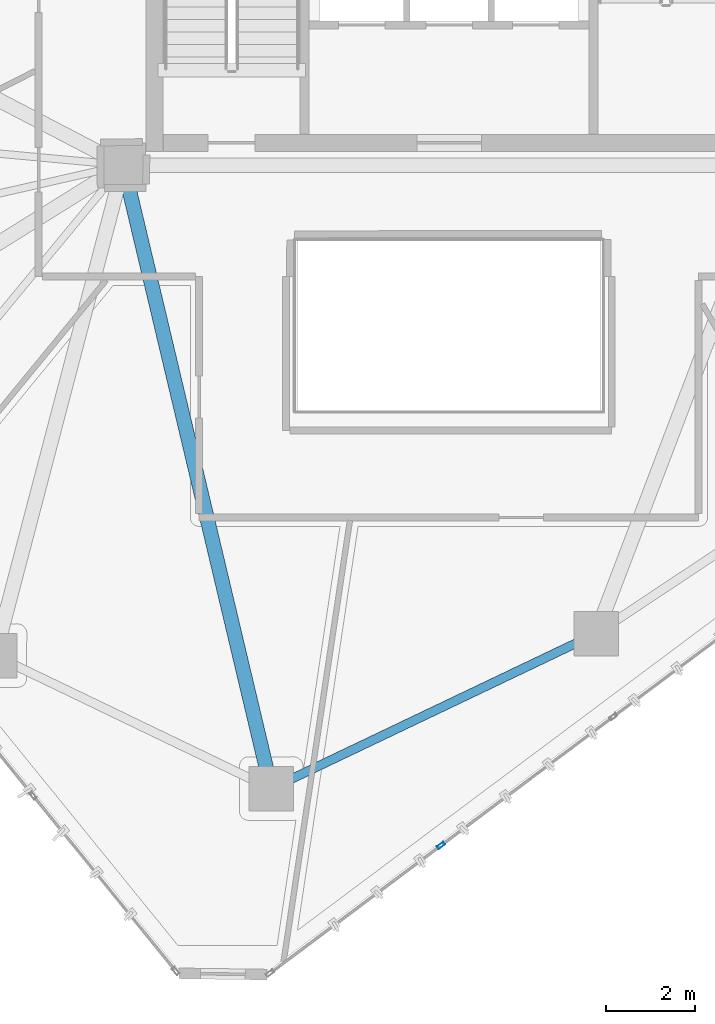
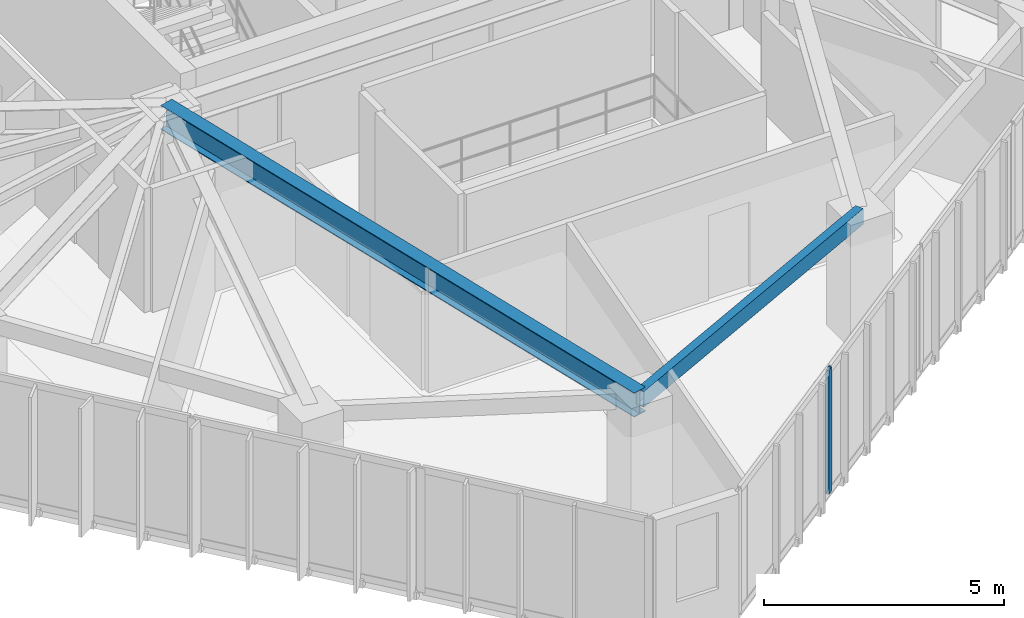
# One storey, part 4 of 20: 2 beams, 1 member, 1 element without a shape of its own.
"""IFC4 building model written with IfcOpenShell, lengths in metres."""

import ifcopenshell
import ifcopenshell.guid

model = None  # the IFC model being written
_history = None  # IfcOwnerHistory: only IFC2X3 demands one
_inside = {}  # id of a spatial element -> (the spatial element, [elements in it])
_under = {}  # id of a project, library or spatial element -> (it, [spatial elements below it])
_declared = {}  # id of a project -> (the project, [libraries it declares])
_typed = {}  # id of a type object -> (the type object, [elements of that type])
_made_of = {}  # id of a material, layer set ... -> (it, [elements and type objects made of it])


def new_model(schema):
    """Start an empty IFC model of exactly this schema.

    Asked for "IFC4X3", IfcOpenShell would pick the latest addendum, in which some entities
    have other attributes; the version numbers below select the first issue.
    IFC2X3 requires an IfcOwnerHistory on every rooted entity: one is made here for all.
    """
    global model, _history
    if schema == "IFC4X3":
        model = ifcopenshell.file(schema_version=(4, 3, 0, 0))
    else:
        model = ifcopenshell.file(schema=schema)
    _inside.clear()
    _under.clear()
    _declared.clear()
    _typed.clear()
    _made_of.clear()
    _history = None
    if model.schema == "IFC2X3":
        org = make("IfcOrganization", Name="unknown")
        user = make(
            "IfcPersonAndOrganization",
            ThePerson=make("IfcPerson", FamilyName="unknown"),
            TheOrganization=org,
        )
        app = make(
            "IfcApplication",
            ApplicationDeveloper=org,
            Version="unknown",
            ApplicationFullName="unknown",
            ApplicationIdentifier="unknown",
        )
        _history = make(
            "IfcOwnerHistory",
            OwningUser=user,
            OwningApplication=app,
            ChangeAction="ADDED",
            CreationDate=0,
        )
    return model


def make(cls, **values):
    """One entity of the class cls with the attributes given. An attribute that is None is left unset."""
    return model.create_entity(
        cls, **{name: value for name, value in values.items() if value is not None}
    )


def rooted(cls, **values):
    """An entity with a GlobalId (a new one), such as an element, a storey or a relation."""
    return make(cls, GlobalId=ifcopenshell.guid.new(), OwnerHistory=_history, **values)


def si_unit(unit_type, name, prefix=None):
    """IfcSIUnit, for example si_unit("LENGTHUNIT", "METRE", prefix="MILLI")."""
    return make("IfcSIUnit", UnitType=unit_type, Prefix=prefix, Name=name)


def assignment(units):
    """IfcUnitAssignment: the units of a project."""
    return None if units is None else make("IfcUnitAssignment", Units=units)


def point(xyz):
    """IfcCartesianPoint."""
    return None if xyz is None else make("IfcCartesianPoint", Coordinates=xyz)


def direction(xyz):
    """IfcDirection."""
    return None if xyz is None else make("IfcDirection", DirectionRatios=xyz)


def frame(location, z_axis=None, x_axis=None):
    """IfcAxis2Placement3D, a coordinate frame: its origin and axes. An axis left out is left unset."""
    return make(
        "IfcAxis2Placement3D",
        Location=point(location),
        Axis=direction(z_axis),
        RefDirection=direction(x_axis),
    )


def frame_2d(location, x_axis=None):
    """IfcAxis2Placement2D, a coordinate frame in the plane: its origin and x axis."""
    return make(
        "IfcAxis2Placement2D", Location=point(location), RefDirection=direction(x_axis)
    )


def origin():
    """The frame at (0, 0, 0) with its axes left unset."""
    return frame((0.0, 0.0, 0.0))


def origin_2d():
    """The frame at (0, 0) in the plane with its x axis left unset."""
    return frame_2d((0.0, 0.0))


def place(relative_to, where):
    """IfcLocalPlacement: puts the frame where relative to a parent placement (None: the world)."""
    return make(
        "IfcLocalPlacement", PlacementRelTo=relative_to, RelativePlacement=where
    )


def context(
    kind, dimensions, precision=None, world=None, true_north=None, identifier=None
):
    """IfcGeometricRepresentationContext, for example the 3D "Model" context."""
    return make(
        "IfcGeometricRepresentationContext",
        ContextIdentifier=identifier,
        ContextType=kind,
        CoordinateSpaceDimension=dimensions,
        Precision=precision,
        WorldCoordinateSystem=world,
        TrueNorth=true_north,
    )


def subcontext(parent, identifier, kind, view, scale=None):
    """IfcGeometricRepresentationSubContext, for example "Body" below "Model"."""
    return make(
        "IfcGeometricRepresentationSubContext",
        ContextIdentifier=identifier,
        ContextType=kind,
        ParentContext=parent,
        TargetScale=scale,
        TargetView=view,
    )


def project(units=None, contexts=None):
    """IfcProject with its units and contexts."""
    return rooted(
        "IfcProject",
        Name="project",
        RepresentationContexts=contexts,
        UnitsInContext=assignment(units),
    )


def spatial(cls, under=None, at=None, **own):
    """A site, building, storey or space (cls), placed at a placement, below another one or the project."""
    s = rooted(cls, ObjectPlacement=at, **own)
    if under is not None:
        _under.setdefault(under.id(), (under, []))[1].append(s)
    return s


def profile(cls, at=None, kind="AREA", **sizes):
    """A parametric profile (cls). Its sizes go by their IFC names, for example OverallWidth=200.0."""
    return make(cls, ProfileType=kind, Position=at, **sizes)


def hollow_rectangle(**sizes):
    """IfcRectangleHollowProfileDef."""
    return profile("IfcRectangleHollowProfileDef", **sizes)


def i_section(**sizes):
    """IfcIShapeProfileDef."""
    return profile("IfcIShapeProfileDef", **sizes)


def extrude(swept, where, along, depth):
    """IfcExtrudedAreaSolid: the profile swept, set in the frame where, extruded along a direction by depth."""
    return make(
        "IfcExtrudedAreaSolid",
        SweptArea=swept,
        Position=where,
        ExtrudedDirection=direction(along),
        Depth=depth,
    )


def shape(context_of_items, identifier, shape_type, items):
    """IfcShapeRepresentation: the items that make up one representation, for example the "Body"."""
    return make(
        "IfcShapeRepresentation",
        ContextOfItems=context_of_items,
        RepresentationIdentifier=identifier,
        RepresentationType=shape_type,
        Items=items,
    )


def source(mapping_origin, context_of_items, identifier, shape_type, items):
    """IfcRepresentationMap: a shape defined once, which mapped items show again and again."""
    return make(
        "IfcRepresentationMap",
        MappingOrigin=mapping_origin,
        MappedRepresentation=shape(context_of_items, identifier, shape_type, items),
    )


def transform(
    local_origin,
    x_axis=None,
    y_axis=None,
    z_axis=None,
    scale=None,
    scale2=None,
    scale3=None,
    uniform=True,
):
    """IfcCartesianTransformationOperator3D, or its non-uniform kind. x_axis, y_axis, z_axis: its Axis1, 2, 3."""
    if uniform:
        return make(
            "IfcCartesianTransformationOperator3D",
            Axis1=direction(x_axis),
            Axis2=direction(y_axis),
            LocalOrigin=point(local_origin),
            Scale=scale,
            Axis3=direction(z_axis),
        )
    return make(
        "IfcCartesianTransformationOperator3DnonUniform",
        Axis1=direction(x_axis),
        Axis2=direction(y_axis),
        LocalOrigin=point(local_origin),
        Scale=scale,
        Axis3=direction(z_axis),
        Scale2=scale2,
        Scale3=scale3,
    )


def mapped(mapping_source, mapping_target):
    """IfcMappedItem: shows the shape of a source again, moved by a transform."""
    return make(
        "IfcMappedItem", MappingSource=mapping_source, MappingTarget=mapping_target
    )


def material(Name=None, Category=None):
    """IfcMaterial."""
    return make("IfcMaterial", Name=Name, Category=Category)


def layer(
    of_material, thickness, ventilated=None, Name=None, Category=None, Priority=None
):
    """IfcMaterialLayer: one layer of a wall or slab, of a material (None: an air gap)."""
    return make(
        "IfcMaterialLayer",
        Material=of_material,
        LayerThickness=thickness,
        IsVentilated=ventilated,
        Name=Name,
        Category=Category,
        Priority=Priority,
    )


def layer_set(layers, Name=None):
    """IfcMaterialLayerSet."""
    return make("IfcMaterialLayerSet", MaterialLayers=layers, LayerSetName=Name)


def material_profile(
    of_material, cross_section, Name=None, Category=None, Priority=None
):
    """IfcMaterialProfile: a cross section and its material."""
    return make(
        "IfcMaterialProfile",
        Name=Name,
        Material=of_material,
        Profile=cross_section,
        Priority=Priority,
        Category=Category,
    )


def profile_set(profiles, Name=None, composite=None):
    """IfcMaterialProfileSet."""
    return make(
        "IfcMaterialProfileSet",
        Name=Name,
        MaterialProfiles=profiles,
        CompositeProfile=composite,
    )


def made_of(thing, what):
    """Note that an element or type object is made of a material, layer set ...; save() writes the relation."""
    if what is not None:
        _made_of.setdefault(what.id(), (what, []))[1].append(thing)
    return thing


def type_object(cls, material=None, **own):
    """A type object (cls), such as IfcWallType, which elements share."""
    return made_of(rooted(cls, **own), material)


def type_shapes(of_type, sources):
    """Give a type object the sources (RepresentationMaps) that its elements show as mapped items."""
    of_type.RepresentationMaps = sources


def element(
    cls,
    number,
    at=None,
    inside=None,
    cuts=None,
    type_object=None,
    material=None,
    context=None,
    identifier="Body",
    shape_type=None,
    held_by="IfcProductDefinitionShape",
    body=None,
    shapes=None,
    **own,
):
    """One element of the class cls, such as IfcWall. Its Tag is "e" and its number.

    at: its placement. inside: the storey or other place that contains it. cuts: it is an
    opening in that element (IfcRelVoidsElement). A single representation is given by context,
    identifier, shape_type and body (its items); several are given by shapes. held_by: the class
    of the entity that holds the representations. save() writes the other relations.
    """
    e = rooted(cls, Tag="e%d" % number, ObjectPlacement=at, **own)
    if body is not None:
        shapes = [shape(context, identifier, shape_type, body)]
    if shapes is not None:
        e.Representation = make(held_by, Representations=shapes)
    if inside is not None:
        _inside.setdefault(inside.id(), (inside, []))[1].append(e)
    if cuts is not None:
        rooted(
            "IfcRelVoidsElement", RelatingBuildingElement=cuts, RelatedOpeningElement=e
        )
    if type_object is not None:
        _typed.setdefault(type_object.id(), (type_object, []))[1].append(e)
    return made_of(e, material)


def aggregate(whole, parts):
    """IfcRelAggregates: a whole, such as a stair, and the parts it consists of."""
    return rooted("IfcRelAggregates", RelatingObject=whole, RelatedObjects=parts)


def save(model, path):
    """Write the relations noted so far, then the file.

    IfcRelAggregates (storeys below a building ...), IfcRelContainedInSpatialStructure (elements
    in a storey), IfcRelDefinesByType, IfcRelAssociatesMaterial and IfcRelDeclares: one each for
    every whole, place, type object, material and project.
    """
    for whole, parts in _under.values():
        aggregate(whole, parts)
    for where, things in _inside.values():
        rooted(
            "IfcRelContainedInSpatialStructure",
            RelatedElements=things,
            RelatingStructure=where,
        )
    for kind, things in _typed.values():
        rooted("IfcRelDefinesByType", RelatedObjects=things, RelatingType=kind)
    for what, things in _made_of.values():
        rooted("IfcRelAssociatesMaterial", RelatedObjects=things, RelatingMaterial=what)
    for by, libraries in _declared.values():
        rooted("IfcRelDeclares", RelatingContext=by, RelatedDefinitions=libraries)
    model.write(path)


model = new_model("IFC4")

# Units and contexts
model_context = context("Model", 3, precision=1e-05, world=origin(), true_north=direction((0.0, 1.0)))
body_context = subcontext(model_context, "Body", "Model", "MODEL_VIEW")
ifc_project = project(units=[si_unit("LENGTHUNIT", "METRE"), si_unit("AREAUNIT", "SQUARE_METRE"), si_unit("VOLUMEUNIT", "CUBIC_METRE"), si_unit("PLANEANGLEUNIT", "RADIAN"), si_unit("MASSUNIT", "GRAM", prefix="KILO")], contexts=[model_context])

# Site, building, storey
site_placement = place(None, origin())
site = spatial("IfcSite", under=ifc_project, at=site_placement, CompositionType="ELEMENT")
building_placement = place(site_placement, origin())
building = spatial("IfcBuilding", under=site, at=building_placement, Name="Talar Marvaseh", CompositionType="ELEMENT")
storey_placement = place(building_placement, frame((0.0, 0.0, 198.5)))
storey = spatial("IfcBuildingStorey", under=building, at=storey_placement, Name="L52", CompositionType="ELEMENT", Elevation=198.5)

# Beams
ifc_material_1 = material(Name="Steel S355", Category="steel")
ifc_material_profile_1 = material_profile(ifc_material_1, hollow_rectangle(XDim=0.199951171875, YDim=0.39990234375, WallThickness=0.013916015625, at=origin_2d()), Name="RHS400x200x14")
ifc_profile_set_1 = profile_set([ifc_material_profile_1], Name="Steel S355")
beam_type_1 = type_object("IfcBeamType", Name="Zone 3 Perimeter Spandrel Beam RHS400x200x14", PredefinedType="SPANDREL", material=ifc_profile_set_1)
beam_1_placement = place(storey_placement, frame((29.299072265625, 14.993896484375, 2.949951171875), z_axis=(-0.902562267408, -0.430559349511, 0.0), x_axis=(0.430559349511, -0.902562267408, 0.0)))
element("IfcBeam", 1, at=beam_1_placement, inside=storey, type_object=beam_type_1, Name="L52 Zone 3 Perimeter Spandrel Beam RHS400x200x14", PredefinedType="SPANDREL", context=body_context, shape_type="SweptSolid", body=[
    extrude(hollow_rectangle(XDim=0.199951171875, YDim=0.39990234375, WallThickness=0.013916015625, at=origin_2d()), origin(), (0.0, 0.0, 1.0), 8.070556640625),
])
ifc_material_profile_2 = material_profile(ifc_material_1, i_section(OverallWidth=0.324951171875, OverallDepth=0.615966796875, WebThickness=0.013916015625, FlangeThickness=0.021484375, at=origin_2d()), Name="W610x174")
ifc_profile_set_2 = profile_set([ifc_material_profile_2], Name="Steel S355")
beam_type_2 = type_object("IfcBeamType", Name="Zone 3 Radial Floor Girder W610x174", PredefinedType="BEAM", material=ifc_profile_set_2)
beam_2_placement = place(storey_placement, frame((22.014892578125, 11.51904296875, 2.842041015625), z_axis=(-0.230707708791, 0.973023099985, 0.0), x_axis=(-0.973023099985, -0.230707708791, 0.0)))
element("IfcBeam", 2, at=beam_2_placement, inside=storey, type_object=beam_type_2, Name="L52 Zone 3 Radial Floor Girder W610x174", PredefinedType="BEAM", context=body_context, shape_type="SweptSolid", body=[
    extrude(i_section(OverallWidth=0.324951171875, OverallDepth=0.615966796875, WebThickness=0.013916015625, FlangeThickness=0.021484375, at=origin_2d()), origin(), (0.0, 0.0, 1.0), 14.36865234375),
])

# Curtain wall, member
ifc_material_2 = material(Name="Architectural Aluminium", Category="aluminium")
ifc_layer = layer(ifc_material_2, 0.18994140625)
ifc_layer_set = layer_set([ifc_layer], Name="Architectural Aluminium")
curtain_wall_type = type_object("IfcCurtainWallType", Name="Unitised Solar Atelier Curtain Wall Z3", PredefinedType="NOTDEFINED", material=ifc_layer_set)
curtain_wall_placement = place(storey_placement, origin())
curtain_wall = element("IfcCurtainWall", 3, at=curtain_wall_placement, inside=storey, type_object=curtain_wall_type, Name="L52 Unitised Solar Atelier Curtain Wall Z3", PredefinedType="NOTDEFINED")
ifc_material_profile_3 = material_profile(ifc_material_2, hollow_rectangle(XDim=0.074951171875, YDim=0.179931640625, WallThickness=0.0048828125, at=origin_2d()), Name="RHS180x75x5")
ifc_profile_set_3 = profile_set([ifc_material_profile_3], Name="Architectural Aluminium")
member_type = type_object("IfcMemberType", Name="Unitised Curtain Wall Standard Mullion RHS180x75x5", PredefinedType="MULLION", material=ifc_profile_set_3)
shared_shape = source(origin(), body_context, "Body", "SweptSolid", [
    extrude(hollow_rectangle(XDim=0.074951171875, YDim=0.179931640625, WallThickness=0.0048828125, at=origin_2d()), origin(), (0.0, 0.0, 1.0), 3.14990234375),
])
type_shapes(member_type, [shared_shape])
member_placement = place(storey_placement, frame((25.82177734375, 10.245361328125, 0.0), z_axis=(0.0, 0.0, 1.0), x_axis=(0.598447667514, -0.801161899523, 0.0)))
member = element("IfcMember", 4, at=member_placement, type_object=member_type, Name="CW-Z3 mullion 4", PredefinedType="MULLION", context=body_context, shape_type="MappedRepresentation", body=[
    mapped(shared_shape, transform((0.0, 0.0, 0.0), x_axis=(1.0, 0.0, 0.0), y_axis=(0.0, 1.0, 0.0), z_axis=(0.0, 0.0, 1.0), scale=1.0)),
])
aggregate(curtain_wall, [member])

save(model, "model.ifc")
